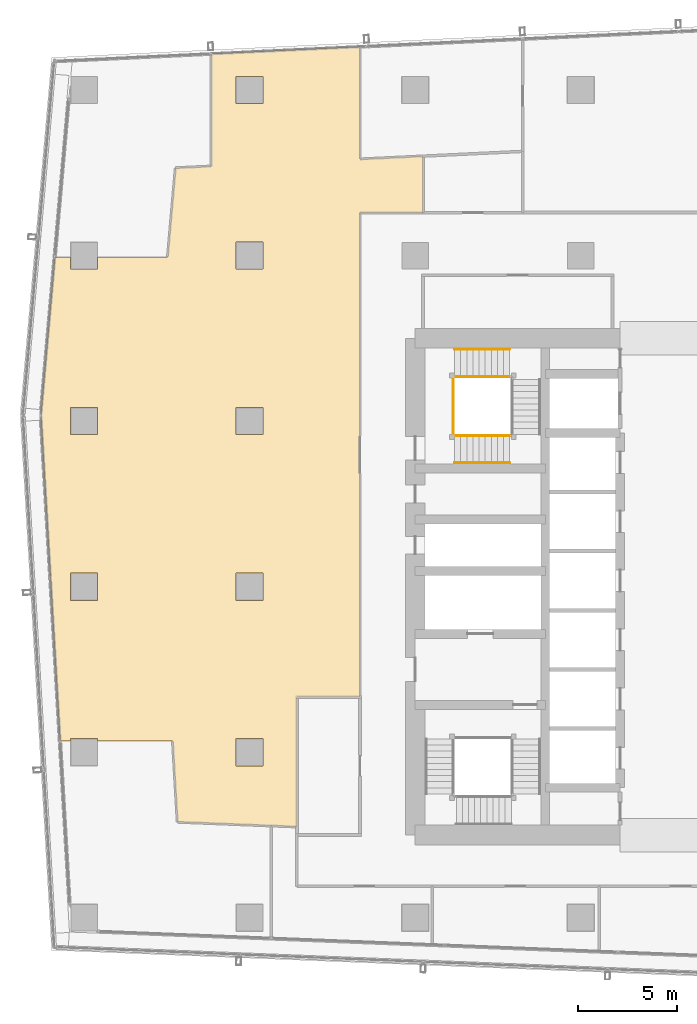
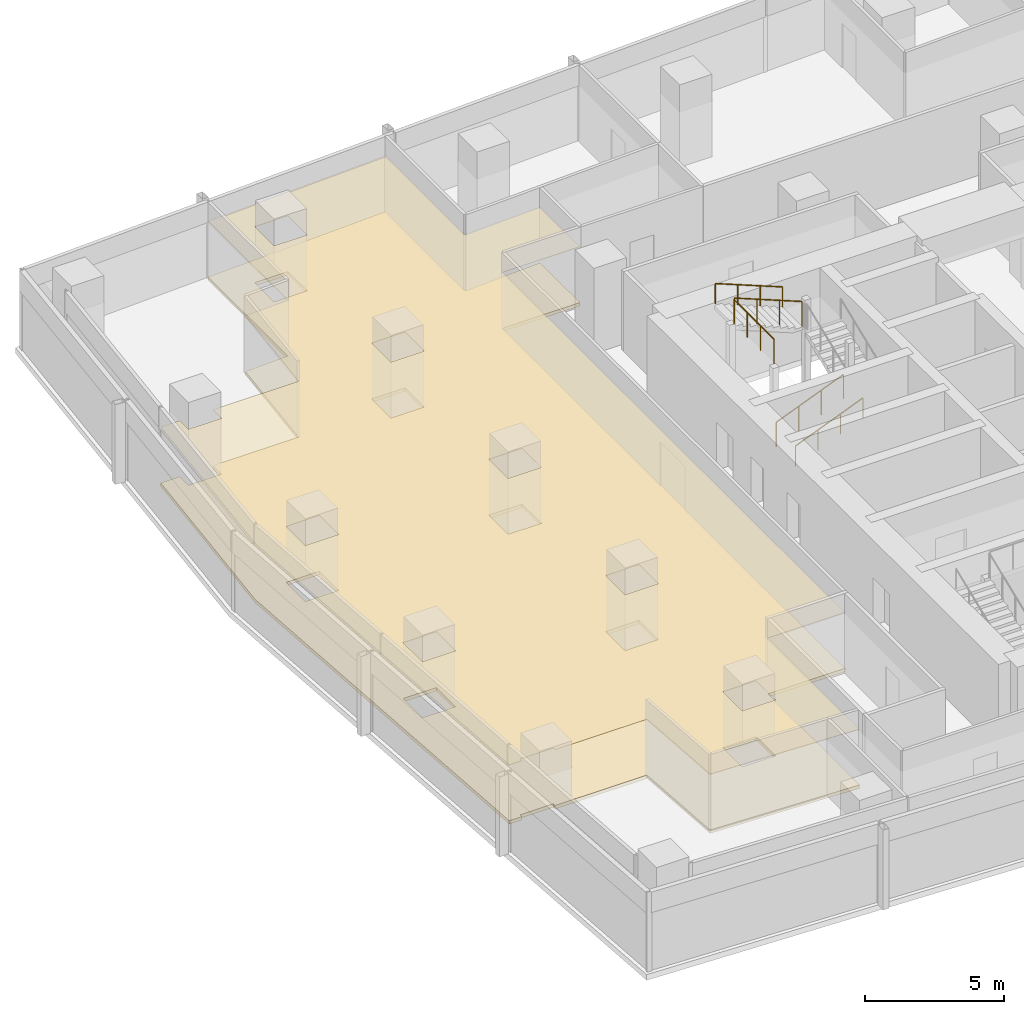
# One storey, part 33 of 40: 5 railings, 2 coverings.
"""IFC4 building model written with IfcOpenShell, lengths in metres."""

from ifc_helpers import new_model, si_unit, direction, frame, origin, origin_2d, place, context, subcontext, project, spatial, polyline, circle, outline, extrude, material, layer, layer_set, type_object, element, save


model = new_model("IFC4")

# Units and contexts
model_context = context("Model", 3, precision=1e-05, world=origin(), true_north=direction((0.0, 1.0)))
body_context = subcontext(model_context, "Body", "Model", "MODEL_VIEW")
ifc_project = project(units=[si_unit("LENGTHUNIT", "METRE"), si_unit("AREAUNIT", "SQUARE_METRE"), si_unit("VOLUMEUNIT", "CUBIC_METRE"), si_unit("PLANEANGLEUNIT", "RADIAN"), si_unit("MASSUNIT", "GRAM", prefix="KILO")], contexts=[model_context])

# Site, building, storey
site_placement = place(None, origin())
site = spatial("IfcSite", under=ifc_project, at=site_placement, CompositionType="ELEMENT")
building_placement = place(site_placement, origin())
building = spatial("IfcBuilding", under=site, at=building_placement, Name="Rekha Terrace Tower", CompositionType="ELEMENT")
storey_placement = place(building_placement, frame((0.0, 0.0, 213.949951171875)))
storey = spatial("IfcBuildingStorey", under=building, at=storey_placement, Name="L54", CompositionType="ELEMENT", Elevation=213.949951171875)

# Covering
ifc_material_1 = material(Name="Mineral fibre tile in exposed grid", Category="finish")
ifc_layer_1 = layer(ifc_material_1, 0.02001953125)
ifc_layer_set_1 = layer_set([ifc_layer_1], Name="Mineral fibre tile in exposed grid")
covering_type_1 = type_object("IfcCoveringType", Name="CL1 600x1200 office grid ceiling", PredefinedType="CEILING", material=ifc_layer_set_1)
covering_1_placement = place(storey_placement, frame((0.0, 0.0, 2.580078125)))
element("IfcCovering", 1, at=covering_1_placement, inside=storey, type_object=covering_type_1, Name="Ceiling L54-15", PredefinedType="CEILING", context=body_context, shape_type="SweptSolid", body=[
    extrude(outline(polyline([(6.9208984375, 50.33203125), (6.2099609375, 42.282958984375), (6.215087890625, 42.282958984375), (6.699951171875, 34.0400390625), (7.18701171875, 25.76611328125), (7.7099609375, 25.76611328125), (7.7099609375, 25.889892578125), (9.090087890625, 25.889892578125), (9.090087890625, 25.76611328125), (12.89697265625, 25.76611328125), (13.138916015625, 21.660888671875), (17.89990234375, 21.470947265625), (19.199951171875, 21.4189453125), (19.199951171875, 28.0), (22.39990234375, 28.0), (22.39990234375, 52.574951171875), (25.60009765625, 52.574951171875), (25.60009765625, 55.444091796875), (22.40087890625, 55.291015625), (22.40087890625, 60.998046875), (14.842041015625, 60.636962890625), (14.842041015625, 54.929931640625), (13.041015625, 54.843994140625), (12.64306640625, 50.33203125), (9.090087890625, 50.33203125), (9.090087890625, 49.7099609375), (7.7099609375, 49.7099609375), (7.7099609375, 50.33203125), (6.9208984375, 50.33203125)]), holes=[polyline([(17.489990234375, 24.510009765625), (16.110107421875, 24.510009765625), (16.110107421875, 25.889892578125), (17.489990234375, 25.889892578125), (17.489990234375, 24.510009765625)]), polyline([(17.489990234375, 32.909912109375), (16.110107421875, 32.909912109375), (16.110107421875, 34.2900390625), (17.489990234375, 34.2900390625), (17.489990234375, 32.909912109375)]), polyline([(17.489990234375, 42.68994140625), (17.489990234375, 41.31005859375), (16.110107421875, 41.31005859375), (16.110107421875, 42.68994140625), (17.489990234375, 42.68994140625)]), polyline([(17.489990234375, 51.090087890625), (17.489990234375, 49.7099609375), (16.110107421875, 49.7099609375), (16.110107421875, 51.090087890625), (17.489990234375, 51.090087890625)]), polyline([(17.489990234375, 59.489990234375), (17.489990234375, 58.110107421875), (16.110107421875, 58.110107421875), (16.110107421875, 59.489990234375), (17.489990234375, 59.489990234375)]), polyline([(9.090087890625, 34.2900390625), (9.090087890625, 32.909912109375), (7.7099609375, 32.909912109375), (7.7099609375, 34.2900390625), (9.090087890625, 34.2900390625)]), polyline([(9.090087890625, 41.31005859375), (7.7099609375, 41.31005859375), (7.7099609375, 42.68994140625), (9.090087890625, 42.68994140625), (9.090087890625, 41.31005859375)])]), origin(), (0.0, 0.0, 1.0), 0.02001953125),
])

# Railings
ifc_material_2 = material(Name="Stainless steel balustrade", Category="steel")
railing_type_1 = type_object("IfcRailingType", Name="GR1 1100 stair guard", PredefinedType="GUARDRAIL", material=ifc_material_2)
railing_1_placement = place(storey_placement, frame((27.199951171875, 41.264892578125, 0.125)))
element("IfcRailing", 2, at=railing_1_placement, inside=storey, type_object=railing_type_1, Name="Guard ST4 L54 flight 1", PredefinedType="GUARDRAIL", context=body_context, shape_type="SweptSolid", body=[
    extrude(circle(Radius=0.02392578125, at=origin_2d()), frame((0.0, 0.0, 1.076171875), z_axis=(0.927443287984, 0.0, 0.373963831907), x_axis=(0.0, 1.0, 0.0)), (0.0, 0.0, 1.0), 3.00830078125),
    extrude(circle(Radius=0.02099609375, at=origin_2d()), origin(), (0.0, 0.0, 1.0), 1.052001953125),
    extrude(circle(Radius=0.02099609375, at=origin_2d()), frame((0.929931640625, 0.0, 0.375)), (0.0, 0.0, 1.0), 1.052001953125),
    extrude(circle(Radius=0.02099609375, at=origin_2d()), frame((1.860107421875, 0.0, 0.75)), (0.0, 0.0, 1.0), 1.052001953125),
    extrude(circle(Radius=0.02099609375, at=origin_2d()), frame((2.7900390625, 0.0, 1.125)), (0.0, 0.0, 1.0), 1.052001953125),
])
railing_2_placement = place(storey_placement, frame((29.989990234375, 44.260009765625, 2.625)))
element("IfcRailing", 3, at=railing_2_placement, inside=storey, type_object=railing_type_1, Name="Guard ST4 L54 flight 3", PredefinedType="GUARDRAIL", context=body_context, shape_type="SweptSolid", body=[
    extrude(circle(Radius=0.02392578125, at=origin_2d()), frame((0.0, 0.0, 1.076171875), z_axis=(-0.927443287984, 0.0, 0.373963831907), x_axis=(0.0, -1.0, 0.0)), (0.0, 0.0, 1.0), 3.00830078125),
    extrude(circle(Radius=0.02099609375, at=origin_2d()), origin(), (0.0, 0.0, 1.0), 1.052001953125),
    extrude(circle(Radius=0.02099609375, at=origin_2d()), frame((-0.929931640625, 0.0, 0.375)), (0.0, 0.0, 1.0), 1.052001953125),
    extrude(circle(Radius=0.02099609375, at=origin_2d()), frame((-1.860107421875, 0.0, 0.75)), (0.0, 0.0, 1.0), 1.052001953125),
    extrude(circle(Radius=0.02099609375, at=origin_2d()), frame((-2.7900390625, 0.0, 1.125)), (0.0, 0.0, 1.0), 1.052001953125),
])
railing_3_placement = place(storey_placement, frame((27.139892578125, 41.324951171875, 3.75)))
element("IfcRailing", 4, at=railing_3_placement, inside=storey, type_object=railing_type_1, Name="Guard ST4 L54 landing 4", PredefinedType="GUARDRAIL", context=body_context, shape_type="SweptSolid", body=[
    extrude(circle(Radius=0.02392578125, at=origin_2d()), frame((0.0, 0.0, 1.076171875), z_axis=(0.0, 1.0, 0.0), x_axis=(-1.0, 0.0, 0.0)), (0.0, 0.0, 1.0), 2.875),
    extrude(circle(Radius=0.02099609375, at=origin_2d()), origin(), (0.0, 0.0, 1.0), 1.052001953125),
    extrude(circle(Radius=0.02099609375, at=origin_2d()), frame((0.0, 0.958251953125, 0.0)), (0.0, 0.0, 1.0), 1.052001953125),
    extrude(circle(Radius=0.02099609375, at=origin_2d()), frame((0.0, 1.916748046875, 0.0)), (0.0, 0.0, 1.0), 1.052001953125),
    extrude(circle(Radius=0.02099609375, at=origin_2d()), frame((0.0, 2.875, 0.0)), (0.0, 0.0, 1.0), 1.052001953125),
])
ifc_material_3 = material(Name="Stainless steel tube", Category="steel")
railing_type_2 = type_object("IfcRailingType", Name="HR1 900 stair handrail", PredefinedType="HANDRAIL", material=ifc_material_3)
railing_4_placement = place(storey_placement, frame((27.199951171875, 39.885009765625, 0.125)))
element("IfcRailing", 5, at=railing_4_placement, inside=storey, type_object=railing_type_2, Name="Handrail ST4 L54 flight 1", PredefinedType="HANDRAIL", context=body_context, shape_type="SweptSolid", body=[
    extrude(circle(Radius=0.02392578125, at=origin_2d()), frame((0.0, 0.0, 0.8759765625), z_axis=(0.927443287984, 0.0, 0.373963831907), x_axis=(0.0, 1.0, 0.0)), (0.0, 0.0, 1.0), 3.00830078125),
    extrude(circle(Radius=0.02099609375, at=origin_2d()), origin(), (0.0, 0.0, 1.0), 0.851806640625),
    extrude(circle(Radius=0.02099609375, at=origin_2d()), frame((0.929931640625, 0.0, 0.375)), (0.0, 0.0, 1.0), 0.851806640625),
    extrude(circle(Radius=0.02099609375, at=origin_2d()), frame((1.860107421875, 0.0, 0.75)), (0.0, 0.0, 1.0), 0.851806640625),
    extrude(circle(Radius=0.02099609375, at=origin_2d()), frame((2.7900390625, 0.0, 1.125)), (0.0, 0.0, 1.0), 0.851806640625),
])
railing_5_placement = place(storey_placement, frame((29.989990234375, 45.639892578125, 2.625)))
element("IfcRailing", 6, at=railing_5_placement, inside=storey, type_object=railing_type_2, Name="Handrail ST4 L54 flight 3", PredefinedType="HANDRAIL", context=body_context, shape_type="SweptSolid", body=[
    extrude(circle(Radius=0.02392578125, at=origin_2d()), frame((0.0, 0.0, 0.8759765625), z_axis=(-0.927443287984, 0.0, 0.373963831907), x_axis=(0.0, -1.0, 0.0)), (0.0, 0.0, 1.0), 3.00830078125),
    extrude(circle(Radius=0.02099609375, at=origin_2d()), origin(), (0.0, 0.0, 1.0), 0.851806640625),
    extrude(circle(Radius=0.02099609375, at=origin_2d()), frame((-0.929931640625, 0.0, 0.375)), (0.0, 0.0, 1.0), 0.851806640625),
    extrude(circle(Radius=0.02099609375, at=origin_2d()), frame((-1.860107421875, 0.0, 0.75)), (0.0, 0.0, 1.0), 0.851806640625),
    extrude(circle(Radius=0.02099609375, at=origin_2d()), frame((-2.7900390625, 0.0, 1.125)), (0.0, 0.0, 1.0), 0.851806640625),
])

# Covering
ifc_material_4 = material(Name="Calcium sulphate panels on steel pedestals", Category="steel")
ifc_layer_2 = layer(ifc_material_4, 0.14990234375)
ifc_layer_set_2 = layer_set([ifc_layer_2], Name="Calcium sulphate panels on steel pedestals")
covering_type_2 = type_object("IfcCoveringType", Name="RF1 150 raised access floor", PredefinedType="FLOORING", material=ifc_layer_set_2)
covering_2_placement = place(storey_placement, origin())
element("IfcCovering", 7, at=covering_2_placement, inside=storey, type_object=covering_type_2, Name="Raised floor L54-15", PredefinedType="FLOORING", context=body_context, shape_type="SweptSolid", body=[
    extrude(outline(polyline([(6.9208984375, 50.33203125), (6.2099609375, 42.282958984375), (6.215087890625, 42.282958984375), (6.699951171875, 34.0400390625), (7.18701171875, 25.76611328125), (7.7099609375, 25.76611328125), (7.7099609375, 25.889892578125), (9.090087890625, 25.889892578125), (9.090087890625, 25.76611328125), (12.89697265625, 25.76611328125), (13.138916015625, 21.660888671875), (17.89990234375, 21.470947265625), (19.199951171875, 21.4189453125), (19.199951171875, 28.0), (22.39990234375, 28.0), (22.39990234375, 52.574951171875), (25.60009765625, 52.574951171875), (25.60009765625, 55.444091796875), (22.40087890625, 55.291015625), (22.40087890625, 60.998046875), (14.842041015625, 60.636962890625), (14.842041015625, 54.929931640625), (13.041015625, 54.843994140625), (12.64306640625, 50.33203125), (9.090087890625, 50.33203125), (9.090087890625, 49.7099609375), (7.7099609375, 49.7099609375), (7.7099609375, 50.33203125), (6.9208984375, 50.33203125)]), holes=[polyline([(17.489990234375, 24.510009765625), (16.110107421875, 24.510009765625), (16.110107421875, 25.889892578125), (17.489990234375, 25.889892578125), (17.489990234375, 24.510009765625)]), polyline([(17.489990234375, 32.909912109375), (16.110107421875, 32.909912109375), (16.110107421875, 34.2900390625), (17.489990234375, 34.2900390625), (17.489990234375, 32.909912109375)]), polyline([(17.489990234375, 42.68994140625), (17.489990234375, 41.31005859375), (16.110107421875, 41.31005859375), (16.110107421875, 42.68994140625), (17.489990234375, 42.68994140625)]), polyline([(17.489990234375, 51.090087890625), (17.489990234375, 49.7099609375), (16.110107421875, 49.7099609375), (16.110107421875, 51.090087890625), (17.489990234375, 51.090087890625)]), polyline([(17.489990234375, 59.489990234375), (17.489990234375, 58.110107421875), (16.110107421875, 58.110107421875), (16.110107421875, 59.489990234375), (17.489990234375, 59.489990234375)]), polyline([(9.090087890625, 34.2900390625), (9.090087890625, 32.909912109375), (7.7099609375, 32.909912109375), (7.7099609375, 34.2900390625), (9.090087890625, 34.2900390625)]), polyline([(9.090087890625, 41.31005859375), (7.7099609375, 41.31005859375), (7.7099609375, 42.68994140625), (9.090087890625, 42.68994140625), (9.090087890625, 41.31005859375)])]), origin(), (0.0, 0.0, 1.0), 0.150146484375),
])

save(model, "model.ifc")
